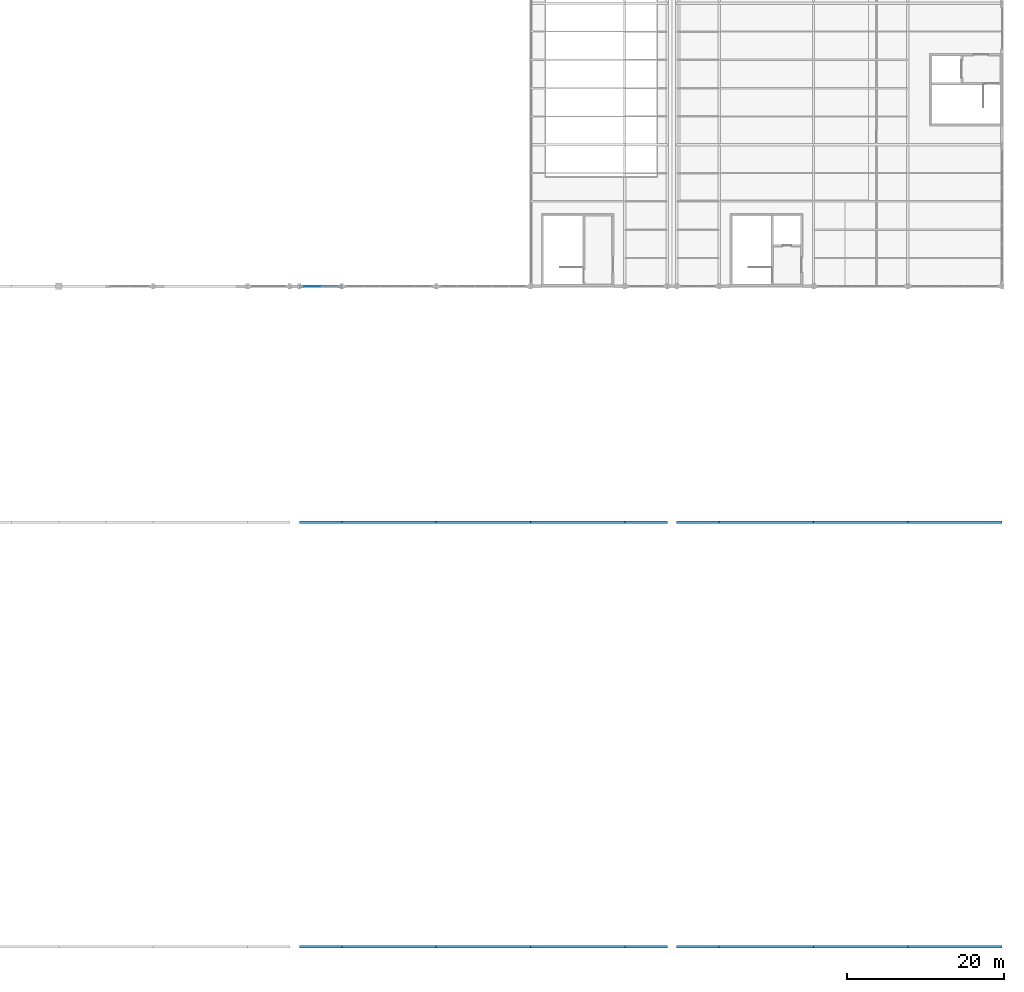
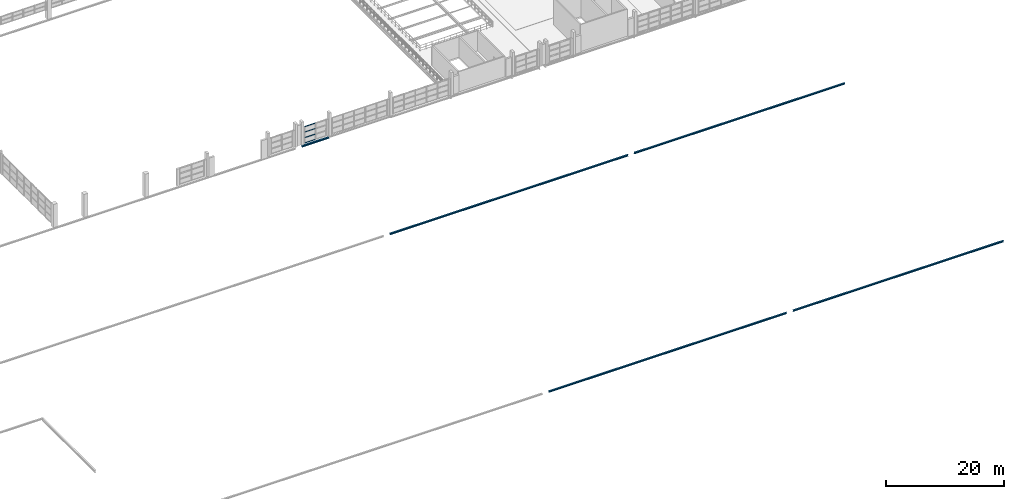
# One storey, part 27 of 86: 19 beams, 4 members, 1 element without a shape of its own.
"""IFC4 building model written with IfcOpenShell, lengths in metres."""

from ifc_helpers import new_model, si_unit, direction, frame, origin, origin_2d, place, context, subcontext, project, spatial, hollow_rectangle, i_section, extrude, material, layer, layer_set, material_profile, profile_set, type_object, element, aggregate, save


model = new_model("IFC4")

# Units and contexts
model_context = context("Model", 3, precision=1e-05, world=origin(), true_north=direction((0.0, 1.0)))
body_context = subcontext(model_context, "Body", "Model", "MODEL_VIEW")
ifc_project = project(units=[si_unit("LENGTHUNIT", "METRE"), si_unit("AREAUNIT", "SQUARE_METRE"), si_unit("VOLUMEUNIT", "CUBIC_METRE"), si_unit("PLANEANGLEUNIT", "RADIAN"), si_unit("MASSUNIT", "GRAM", prefix="KILO")], contexts=[model_context])

# Site, building, storey
site_placement = place(None, origin())
site = spatial("IfcSite", under=ifc_project, at=site_placement, CompositionType="ELEMENT")
building_placement = place(site_placement, origin())
building = spatial("IfcBuilding", under=site, at=building_placement, Name="Zilviju Railside Exhibition Hall", CompositionType="ELEMENT")
storey_placement = place(building_placement, frame((0.0, 0.0, 12.60009765625)))
storey = spatial("IfcBuildingStorey", under=building, at=storey_placement, Name="L04", CompositionType="ELEMENT", Elevation=12.60009765625)

# Beams
ifc_material_1 = material(Name="Steel S355J2", Category="steel")
ifc_material_profile_1 = material_profile(ifc_material_1, i_section(OverallWidth=0.300048828125, OverallDepth=0.2900390625, WebThickness=0.008544921875, FlangeThickness=0.013916015625, at=origin_2d()), Name="HEA 300")
ifc_profile_set_1 = profile_set([ifc_material_profile_1], Name="Steel S355J2")
beam_type = type_object("IfcBeamType", Name="BM-HEA300", PredefinedType="SPANDREL", material=ifc_profile_set_1)
beam_1_placement = place(storey_placement, frame((126.60009765625, 0.0, -0.485107421875), z_axis=(1.0, 0.0, 0.0), x_axis=(0.0, 1.0, 0.0)))
element("IfcBeam", 1, at=beam_1_placement, inside=storey, type_object=beam_type, Name="Primary Girder L04 Y=0.0 (126.6..132.0)", PredefinedType="SPANDREL", context=body_context, shape_type="SweptSolid", body=[
    extrude(i_section(OverallWidth=0.300048828125, OverallDepth=0.2900390625, WebThickness=0.008544921875, FlangeThickness=0.013916015625, at=origin_2d()), origin(), (0.0, 0.0, 1.0), 5.39990234375),
])
for number, where, z_axis, x_axis, name in (
    (2, (132.0, 0.0, -0.485107421875), (1.0, 0.0, 0.0), (0.0, 1.0, 0.0), "Primary Girder L04 Y=0.0 (132.0..144.0)"),
    (3, (144.0, 0.0, -0.485107421875), (1.0, 0.0, 0.0), (0.0, 1.0, 0.0), "Primary Girder L04 Y=0.0 (144.0..156.0)"),
    (4, (156.0, 0.0, -0.485107421875), (1.0, 0.0, 0.0), (0.0, 1.0, 0.0), "Primary Girder L04 Y=0.0 (156.0..168.0)"),
):
    element("IfcBeam", number, at=place(storey_placement, frame(where, z_axis=z_axis, x_axis=x_axis)), inside=storey, type_object=beam_type, Name=name, PredefinedType="SPANDREL", context=body_context, shape_type="SweptSolid", body=[
        extrude(i_section(OverallWidth=0.300048828125, OverallDepth=0.2900390625, WebThickness=0.008544921875, FlangeThickness=0.013916015625, at=origin_2d()), origin(), (0.0, 0.0, 1.0), 12.0),
    ])
for number, where, z_axis, x_axis, name in (
    (5, (168.0, 0.0, -0.485107421875), (1.0, 0.0, 0.0), (0.0, 1.0, 0.0), "Primary Girder L04 Y=0.0 (168.0..173.4)"),
    (6, (174.60009765625, 0.0, -0.485107421875), (1.0, 0.0, 0.0), (0.0, 1.0, 0.0), "Primary Girder L04 Y=0.0 (174.6..180.0)"),
):
    element("IfcBeam", number, at=place(storey_placement, frame(where, z_axis=z_axis, x_axis=x_axis)), inside=storey, type_object=beam_type, Name=name, PredefinedType="SPANDREL", context=body_context, shape_type="SweptSolid", body=[
        extrude(i_section(OverallWidth=0.300048828125, OverallDepth=0.2900390625, WebThickness=0.008544921875, FlangeThickness=0.013916015625, at=origin_2d()), origin(), (0.0, 0.0, 1.0), 5.39990234375),
    ])
for number, where, z_axis, x_axis, name in (
    (7, (180.0, 0.0, -0.485107421875), (1.0, 0.0, 0.0), (0.0, 1.0, 0.0), "Primary Girder L04 Y=0.0 (180.0..192.0)"),
    (8, (192.0, 0.0, -0.485107421875), (1.0, 0.0, 0.0), (0.0, 1.0, 0.0), "Primary Girder L04 Y=0.0 (192.0..204.0)"),
    (9, (204.0, 0.0, -0.485107421875), (1.0, 0.0, 0.0), (0.0, 1.0, 0.0), "Primary Girder L04 Y=0.0 (204.0..216.0)"),
):
    element("IfcBeam", number, at=place(storey_placement, frame(where, z_axis=z_axis, x_axis=x_axis)), inside=storey, type_object=beam_type, Name=name, PredefinedType="SPANDREL", context=body_context, shape_type="SweptSolid", body=[
        extrude(i_section(OverallWidth=0.300048828125, OverallDepth=0.2900390625, WebThickness=0.008544921875, FlangeThickness=0.013916015625, at=origin_2d()), origin(), (0.0, 0.0, 1.0), 12.0),
    ])
beam_2_placement = place(storey_placement, frame((126.60009765625, 54.0, -0.485107421875), z_axis=(1.0, 0.0, 0.0), x_axis=(0.0, 1.0, 0.0)))
element("IfcBeam", 10, at=beam_2_placement, inside=storey, type_object=beam_type, Name="Primary Girder L04 Y=54.0 (126.6..132.0)", PredefinedType="SPANDREL", context=body_context, shape_type="SweptSolid", body=[
    extrude(i_section(OverallWidth=0.300048828125, OverallDepth=0.2900390625, WebThickness=0.008544921875, FlangeThickness=0.013916015625, at=origin_2d()), origin(), (0.0, 0.0, 1.0), 5.39990234375),
])
for number, where, z_axis, x_axis, name in (
    (11, (132.0, 54.0, -0.485107421875), (1.0, 0.0, 0.0), (0.0, 1.0, 0.0), "Primary Girder L04 Y=54.0 (132.0..144.0)"),
    (12, (144.0, 54.0, -0.485107421875), (1.0, 0.0, 0.0), (0.0, 1.0, 0.0), "Primary Girder L04 Y=54.0 (144.0..156.0)"),
    (13, (156.0, 54.0, -0.485107421875), (1.0, 0.0, 0.0), (0.0, 1.0, 0.0), "Primary Girder L04 Y=54.0 (156.0..168.0)"),
):
    element("IfcBeam", number, at=place(storey_placement, frame(where, z_axis=z_axis, x_axis=x_axis)), inside=storey, type_object=beam_type, Name=name, PredefinedType="SPANDREL", context=body_context, shape_type="SweptSolid", body=[
        extrude(i_section(OverallWidth=0.300048828125, OverallDepth=0.2900390625, WebThickness=0.008544921875, FlangeThickness=0.013916015625, at=origin_2d()), origin(), (0.0, 0.0, 1.0), 12.0),
    ])
for number, where, z_axis, x_axis, name in (
    (14, (168.0, 54.0, -0.485107421875), (1.0, 0.0, 0.0), (0.0, 1.0, 0.0), "Primary Girder L04 Y=54.0 (168.0..173.4)"),
    (15, (174.60009765625, 54.0, -0.485107421875), (1.0, 0.0, 0.0), (0.0, 1.0, 0.0), "Primary Girder L04 Y=54.0 (174.6..180.0)"),
):
    element("IfcBeam", number, at=place(storey_placement, frame(where, z_axis=z_axis, x_axis=x_axis)), inside=storey, type_object=beam_type, Name=name, PredefinedType="SPANDREL", context=body_context, shape_type="SweptSolid", body=[
        extrude(i_section(OverallWidth=0.300048828125, OverallDepth=0.2900390625, WebThickness=0.008544921875, FlangeThickness=0.013916015625, at=origin_2d()), origin(), (0.0, 0.0, 1.0), 5.39990234375),
    ])
for number, where, z_axis, x_axis, name in (
    (16, (180.0, 54.0, -0.485107421875), (1.0, 0.0, 0.0), (0.0, 1.0, 0.0), "Primary Girder L04 Y=54.0 (180.0..192.0)"),
    (17, (192.0, 54.0, -0.485107421875), (1.0, 0.0, 0.0), (0.0, 1.0, 0.0), "Primary Girder L04 Y=54.0 (192.0..204.0)"),
    (18, (204.0, 54.0, -0.485107421875), (1.0, 0.0, 0.0), (0.0, 1.0, 0.0), "Primary Girder L04 Y=54.0 (204.0..216.0)"),
):
    element("IfcBeam", number, at=place(storey_placement, frame(where, z_axis=z_axis, x_axis=x_axis)), inside=storey, type_object=beam_type, Name=name, PredefinedType="SPANDREL", context=body_context, shape_type="SweptSolid", body=[
        extrude(i_section(OverallWidth=0.300048828125, OverallDepth=0.2900390625, WebThickness=0.008544921875, FlangeThickness=0.013916015625, at=origin_2d()), origin(), (0.0, 0.0, 1.0), 12.0),
    ])
beam_3_placement = place(storey_placement, frame((126.60009765625, 84.0, -0.485107421875), z_axis=(1.0, 0.0, 0.0), x_axis=(0.0, 1.0, 0.0)))
element("IfcBeam", 19, at=beam_3_placement, inside=storey, type_object=beam_type, Name="Primary Girder L04 Y=84.0 (126.6..132.0)", PredefinedType="SPANDREL", context=body_context, shape_type="SweptSolid", body=[
    extrude(i_section(OverallWidth=0.300048828125, OverallDepth=0.2900390625, WebThickness=0.008544921875, FlangeThickness=0.013916015625, at=origin_2d()), origin(), (0.0, 0.0, 1.0), 5.39990234375),
])

# Curtain wall, members
ifc_material_2 = material(Name="Thermally broken aluminium-steel triple-glazed curtain wall", Category="steel")
ifc_layer = layer(ifc_material_2, 0.179931640625)
ifc_layer_set = layer_set([ifc_layer], Name="Thermally broken aluminium-steel triple-glazed curtain wall")
curtain_wall_type = type_object("IfcCurtainWallType", Name="CW-BAY-13", PredefinedType="USERDEFINED", material=ifc_layer_set)
curtain_wall_placement = place(storey_placement, origin())
curtain_wall = element("IfcCurtainWall", 20, at=curtain_wall_placement, inside=storey, type_object=curtain_wall_type, Name="North Hall Garden Court Curtain Wall L04 (127..132)", ObjectType="GLAZED CURTAIN WALL", PredefinedType="USERDEFINED")
ifc_material_3 = material(Name="Thermally broken anodized aluminium transom", Category="aluminium")
ifc_material_profile_2 = material_profile(ifc_material_3, hollow_rectangle(XDim=0.06005859375, YDim=0.110107421875, WallThickness=0.0048828125, at=origin_2d()), Name="TRANSOM 110x60x5")
ifc_profile_set_2 = profile_set([ifc_material_profile_2], Name="Thermally broken anodized aluminium transom")
member_type = type_object("IfcMemberType", Name="CWT-60x110", PredefinedType="USERDEFINED", material=ifc_profile_set_2)
member_1_placement = place(storey_placement, frame((129.27001953125, 84.0, 0.02978515625), z_axis=(-1.0, 0.0, 0.0), x_axis=(0.0, -1.0, 0.0)))
member_1 = element("IfcMember", 21, at=member_1_placement, type_object=member_type, Name="CW-13 transom 2.1", ObjectType="TRANSOM", PredefinedType="USERDEFINED", context=body_context, shape_type="SweptSolid", body=[
    extrude(hollow_rectangle(XDim=0.06005859375, YDim=0.110107421875, WallThickness=0.0048828125, at=origin_2d()), origin(), (0.0, 0.0, 1.0), 2.06005859375),
])
member_2_placement = place(storey_placement, frame((129.27001953125, 84.0, 1.14990234375), z_axis=(-1.0, 0.0, 0.0), x_axis=(0.0, -1.0, 0.0)))
member_2 = element("IfcMember", 22, at=member_2_placement, type_object=member_type, Name="CW-13 transom 2.2", ObjectType="TRANSOM", PredefinedType="USERDEFINED", context=body_context, shape_type="SweptSolid", body=[
    extrude(hollow_rectangle(XDim=0.06005859375, YDim=0.110107421875, WallThickness=0.0048828125, at=origin_2d()), origin(), (0.0, 0.0, 1.0), 2.06005859375),
])
member_3_placement = place(storey_placement, frame((129.27001953125, 84.0, 2.2998046875), z_axis=(-1.0, 0.0, 0.0), x_axis=(0.0, -1.0, 0.0)))
member_3 = element("IfcMember", 23, at=member_3_placement, type_object=member_type, Name="CW-13 transom 2.3", ObjectType="TRANSOM", PredefinedType="USERDEFINED", context=body_context, shape_type="SweptSolid", body=[
    extrude(hollow_rectangle(XDim=0.06005859375, YDim=0.110107421875, WallThickness=0.0048828125, at=origin_2d()), origin(), (0.0, 0.0, 1.0), 2.06005859375),
])
member_4_placement = place(storey_placement, frame((129.27001953125, 84.0, 3.419921875), z_axis=(-1.0, 0.0, 0.0), x_axis=(0.0, -1.0, 0.0)))
member_4 = element("IfcMember", 24, at=member_4_placement, type_object=member_type, Name="CW-13 transom 2.4", ObjectType="TRANSOM", PredefinedType="USERDEFINED", context=body_context, shape_type="SweptSolid", body=[
    extrude(hollow_rectangle(XDim=0.06005859375, YDim=0.110107421875, WallThickness=0.0048828125, at=origin_2d()), origin(), (0.0, 0.0, 1.0), 2.06005859375),
])
aggregate(curtain_wall, [member_1, member_2, member_3, member_4])

save(model, "model.ifc")
